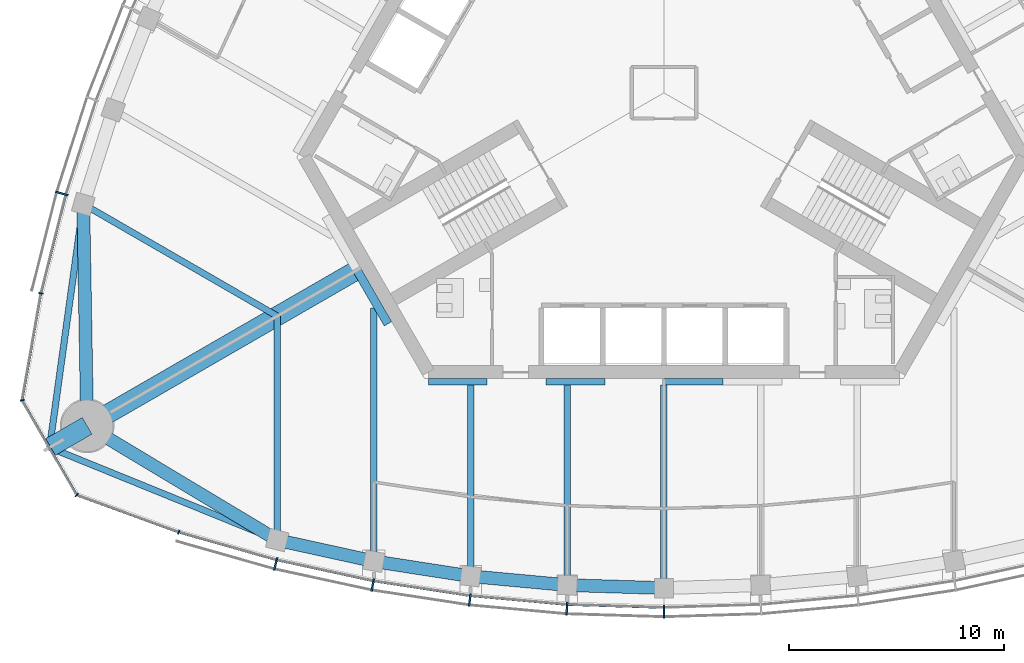
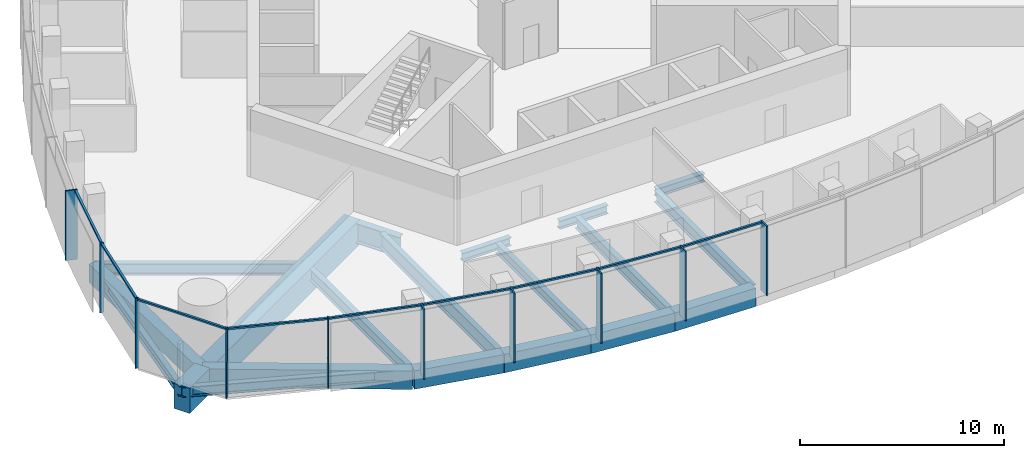
# One storey, part 2 of 16: 20 beams, 19 members, 3 elements without a shape of their own.
"""IFC4 building model written with IfcOpenShell, lengths in metres."""

from ifc_helpers import new_model, si_unit, direction, frame, origin, origin_2d, place, context, subcontext, project, spatial, rectangle, i_section, extrude, material, material_profile, profile_set, type_object, element, aggregate, save


model = new_model("IFC4")

# Units and contexts
model_context = context("Model", 3, precision=1e-05, world=origin(), true_north=direction((0.0, 1.0)))
body_context = subcontext(model_context, "Body", "Model", "MODEL_VIEW")
ifc_project = project(units=[si_unit("LENGTHUNIT", "METRE"), si_unit("AREAUNIT", "SQUARE_METRE"), si_unit("VOLUMEUNIT", "CUBIC_METRE"), si_unit("PLANEANGLEUNIT", "RADIAN"), si_unit("MASSUNIT", "GRAM", prefix="KILO")], contexts=[model_context])

# Site, building, storey
site_placement = place(None, origin())
site = spatial("IfcSite", under=ifc_project, at=site_placement, CompositionType="ELEMENT")
building_placement = place(site_placement, origin())
building = spatial("IfcBuilding", under=site, at=building_placement, Name="Trefoil Bronze Tower", CompositionType="ELEMENT")
storey_placement = place(building_placement, frame((0.0, 0.0, 305.699951171875)))
storey = spatial("IfcBuildingStorey", under=building, at=storey_placement, Name="L70", CompositionType="ELEMENT", Elevation=305.699951171875)

# Curtain wall, members
ifc_material_1 = material(Name="Tinted solar-control glass", Category="glass")
curtain_wall_type_1 = type_object("IfcCurtainWallType", Name="Bronze office curtain wall", PredefinedType="USERDEFINED", material=ifc_material_1)
curtain_wall_1_placement = place(storey_placement, origin())
curtain_wall_1 = element("IfcCurtainWall", 1, at=curtain_wall_1_placement, inside=storey, type_object=curtain_wall_type_1, Name="CW-A L70 F1", ObjectType="CURTAIN WALL", PredefinedType="USERDEFINED")
ifc_material_2 = material(Name="Bronze-finish aluminium", Category="aluminium")
ifc_material_profile_1 = material_profile(ifc_material_2, rectangle(XDim=0.60009765625, YDim=0.080078125, at=origin_2d()), Name="CW-A mullion")
ifc_profile_set_1 = profile_set([ifc_material_profile_1], Name="Bronze-finish aluminium")
member_type_1 = type_object("IfcMemberType", Name="Bronze office curtain wall mullion", PredefinedType="MULLION", material=ifc_profile_set_1)
member_1_placement = place(storey_placement, frame((-18.07275390625, -21.931884765625, 0.0), z_axis=(0.0, 0.0, 1.0), x_axis=(0.242394494031, 0.97017777199, 0.0)))
member_1 = element("IfcMember", 2, at=member_1_placement, type_object=member_type_1, Name="CW-A L70 F1 mullion 2", PredefinedType="MULLION", context=body_context, shape_type="SweptSolid", body=[
    extrude(rectangle(XDim=0.60009765625, YDim=0.080078125, at=origin_2d()), origin(), (0.0, 0.0, 1.0), 4.179931640625),
])
member_2_placement = place(storey_placement, frame((-13.554443359375, -22.911376953125, 0.0), z_axis=(0.0, 0.0, 1.0), x_axis=(0.181667218242, 0.983360067227, 0.0)))
member_2 = element("IfcMember", 3, at=member_2_placement, type_object=member_type_1, Name="CW-A L70 F1 mullion 3", PredefinedType="MULLION", context=body_context, shape_type="SweptSolid", body=[
    extrude(rectangle(XDim=0.60009765625, YDim=0.080078125, at=origin_2d()), origin(), (0.0, 0.0, 1.0), 4.179931640625),
])
member_3_placement = place(storey_placement, frame((-9.036376953125, -23.602783203125, 0.0), z_axis=(0.0, 0.0, 1.0), x_axis=(0.121109330868, 0.992639174109, 0.0)))
member_3 = element("IfcMember", 4, at=member_3_placement, type_object=member_type_1, Name="CW-A L70 F1 mullion 4", PredefinedType="MULLION", context=body_context, shape_type="SweptSolid", body=[
    extrude(rectangle(XDim=0.60009765625, YDim=0.080078125, at=origin_2d()), origin(), (0.0, 0.0, 1.0), 4.179931640625),
])
member_4_placement = place(storey_placement, frame((-4.51806640625, -24.014892578125, 0.0), z_axis=(0.0, 0.0, 1.0), x_axis=(0.060554040199, 0.998164920349, 0.0)))
member_4 = element("IfcMember", 5, at=member_4_placement, type_object=member_type_1, Name="CW-A L70 F1 mullion 5", PredefinedType="MULLION", context=body_context, shape_type="SweptSolid", body=[
    extrude(rectangle(XDim=0.60009765625, YDim=0.080078125, at=origin_2d()), origin(), (0.0, 0.0, 1.0), 4.179931640625),
])
member_5_placement = place(storey_placement, frame((0.0, -24.151611328125, 0.0), z_axis=(0.0, 0.0, 1.0), x_axis=(0.0, 1.0, 0.0)))
member_5 = element("IfcMember", 6, at=member_5_placement, type_object=member_type_1, Name="CW-A L70 F1 mullion 6", PredefinedType="MULLION", context=body_context, shape_type="SweptSolid", body=[
    extrude(rectangle(XDim=0.60009765625, YDim=0.080078125, at=origin_2d()), origin(), (0.0, 0.0, 1.0), 4.179931640625),
])

# Curtain wall, member
curtain_wall_2_placement = place(storey_placement, origin())
curtain_wall_2 = element("IfcCurtainWall", 7, at=curtain_wall_2_placement, inside=storey, type_object=curtain_wall_type_1, Name="CW-A L70 F3", ObjectType="CURTAIN WALL", PredefinedType="USERDEFINED")
member_6_placement = place(storey_placement, frame((-28.02978515625, -4.685546875, 0.0), z_axis=(0.0, 0.0, 1.0), x_axis=(0.961395843746, -0.275169096426, 0.0)))
member_6 = element("IfcMember", 8, at=member_6_placement, type_object=member_type_1, Name="CW-A L70 F3 mullion 10", PredefinedType="MULLION", context=body_context, shape_type="SweptSolid", body=[
    extrude(rectangle(XDim=0.60009765625, YDim=0.080078125, at=origin_2d()), origin(), (0.0, 0.0, 1.0), 4.179931640625),
])

# Member
ifc_material_3 = material(Name="Bronze-finish aluminium", Category="aluminium")
ifc_material_profile_2 = material_profile(ifc_material_3, rectangle(XDim=0.1201171875, YDim=0.10009765625, at=origin_2d()), Name="CW-A transom")
ifc_profile_set_2 = profile_set([ifc_material_profile_2], Name="Bronze-finish aluminium")
member_type_2 = type_object("IfcMemberType", Name="Bronze office curtain wall transom", PredefinedType="USERDEFINED", material=ifc_profile_set_2)
member_7_placement = place(storey_placement, frame((-22.537109375, -20.458740234375, 4.130126953125), z_axis=(0.962102611578, -0.272687668944, 0.0), x_axis=(0.272687668944, 0.962102611578, 0.0)))
member_7 = element("IfcMember", 9, at=member_7_placement, type_object=member_type_2, Name="CW-A L70 F1 transom 1", ObjectType="TRANSOM", PredefinedType="USERDEFINED", context=body_context, shape_type="SweptSolid", body=[
    extrude(rectangle(XDim=0.1201171875, YDim=0.10009765625, at=origin_2d()), origin(), (0.0, 0.0, 1.0), 4.6474609375),
])

member_8_placement = place(storey_placement, frame((-17.982177734375, -21.7470703125, 4.130126953125), z_axis=(0.977303780028, -0.211842681117, 0.0), x_axis=(0.211842681117, 0.977303780028, 0.0)))
member_8 = element("IfcMember", 10, at=member_8_placement, type_object=member_type_2, Name="CW-A L70 F1 transom 2", ObjectType="TRANSOM", PredefinedType="USERDEFINED", context=body_context, shape_type="SweptSolid", body=[
    extrude(rectangle(XDim=0.1201171875, YDim=0.10009765625, at=origin_2d()), origin(), (0.0, 0.0, 1.0), 4.524658203125),
])

member_9_placement = place(storey_placement, frame((-13.4755859375, -22.72119140625, 4.130126953125), z_axis=(0.988485016014, -0.151318779787, 0.0), x_axis=(0.151318779787, 0.988485016014, 0.0)))
member_9 = element("IfcMember", 11, at=member_9_placement, type_object=member_type_2, Name="CW-A L70 F1 transom 3", ObjectType="TRANSOM", PredefinedType="USERDEFINED", context=body_context, shape_type="SweptSolid", body=[
    extrude(rectangle(XDim=0.1201171875, YDim=0.10009765625, at=origin_2d()), origin(), (0.0, 0.0, 1.0), 4.472412109375),
])

member_10_placement = place(storey_placement, frame((-8.96923828125, -23.408203125, 4.130126953125), z_axis=(0.995868373079, -0.090808499059, 0.0), x_axis=(0.090808499059, 0.995868373079, 0.0)))
member_10 = element("IfcMember", 12, at=member_10_placement, type_object=member_type_2, Name="CW-A L70 F1 transom 4", ObjectType="TRANSOM", PredefinedType="USERDEFINED", context=body_context, shape_type="SweptSolid", body=[
    extrude(rectangle(XDim=0.1201171875, YDim=0.10009765625, at=origin_2d()), origin(), (0.0, 0.0, 1.0), 4.438720703125),
])

member_11_placement = place(storey_placement, frame((-4.463134765625, -23.81640625, 4.130126953125), z_axis=(0.99954057115, -0.030309183848, 0.0), x_axis=(0.030309183848, 0.99954057115, 0.0)))
member_11 = element("IfcMember", 13, at=member_11_placement, type_object=member_type_2, Name="CW-A L70 F1 transom 5", ObjectType="TRANSOM", PredefinedType="USERDEFINED", context=body_context, shape_type="SweptSolid", body=[
    extrude(rectangle(XDim=0.1201171875, YDim=0.10009765625, at=origin_2d()), origin(), (0.0, 0.0, 1.0), 4.422119140625),
])

aggregate(curtain_wall_1, [member_1, member_2, member_3, member_4, member_5, member_7, member_8, member_9, member_10, member_11])

member_12_placement = place(storey_placement, frame((-27.84814453125, -4.782470703125, 4.130126953125), z_axis=(-0.244908148095, -0.969546285123, 0.0), x_axis=(0.969546285123, -0.244908148095, 0.0)))
member_12 = element("IfcMember", 14, at=member_12_placement, type_object=member_type_2, Name="CW-A L70 F3 transom 10", ObjectType="TRANSOM", PredefinedType="USERDEFINED", context=body_context, shape_type="SweptSolid", body=[
    extrude(rectangle(XDim=0.1201171875, YDim=0.10009765625, at=origin_2d()), origin(), (0.0, 0.0, 1.0), 4.6474609375),
])

aggregate(curtain_wall_2, [member_6, member_12])

# Curtain wall, members
ifc_material_4 = material(Name="Tinted solar-control glass", Category="glass")
curtain_wall_type_2 = type_object("IfcCurtainWallType", Name="Bronze rounded corner curtain wall", PredefinedType="USERDEFINED", material=ifc_material_4)
curtain_wall_3_placement = place(storey_placement, origin())
curtain_wall_3 = element("IfcCurtainWall", 15, at=curtain_wall_3_placement, inside=storey, type_object=curtain_wall_type_2, Name="CW-B L70 K3", ObjectType="CURTAIN WALL", PredefinedType="USERDEFINED")
ifc_material_5 = material(Name="Bronze-finish aluminium", Category="aluminium")
ifc_material_profile_3 = material_profile(ifc_material_5, rectangle(XDim=0.199951171875, YDim=0.06005859375, at=origin_2d()), Name="CW-B mullion")
ifc_profile_set_3 = profile_set([ifc_material_profile_3], Name="Bronze-finish aluminium")
member_type_3 = type_object("IfcMemberType", Name="Bronze rounded corner curtain wall mullion", PredefinedType="MULLION", material=ifc_profile_set_3)
member_13_placement = place(storey_placement, frame((-28.99755859375, -9.334228515625, 0.0), z_axis=(0.0, 0.0, 1.0), x_axis=(0.984807753012, -0.173648177667, 0.0)))
member_13 = element("IfcMember", 16, at=member_13_placement, type_object=member_type_3, Name="CW-B L70 K3 mullion 1", PredefinedType="MULLION", context=body_context, shape_type="SweptSolid", body=[
    extrude(rectangle(XDim=0.199951171875, YDim=0.06005859375, at=origin_2d()), origin(), (0.0, 0.0, 1.0), 4.179931640625),
])
member_14_placement = place(storey_placement, frame((-29.86865234375, -14.30908203125, 0.0), z_axis=(0.0, 0.0, 1.0), x_axis=(0.984807753012, 0.173648177667, 0.0)))
member_14 = element("IfcMember", 17, at=member_14_placement, type_object=member_type_3, Name="CW-B L70 K3 mullion 2", PredefinedType="MULLION", context=body_context, shape_type="SweptSolid", body=[
    extrude(rectangle(XDim=0.199951171875, YDim=0.06005859375, at=origin_2d()), origin(), (0.0, 0.0, 1.0), 4.179931640625),
])
member_15_placement = place(storey_placement, frame((-27.326416015625, -18.712646484375, 0.0), z_axis=(0.0, 0.0, 1.0), x_axis=(0.642787609687, 0.766044443119, 0.0)))
member_15 = element("IfcMember", 18, at=member_15_placement, type_object=member_type_3, Name="CW-B L70 K3 mullion 3", PredefinedType="MULLION", context=body_context, shape_type="SweptSolid", body=[
    extrude(rectangle(XDim=0.199951171875, YDim=0.06005859375, at=origin_2d()), origin(), (0.0, 0.0, 1.0), 4.179931640625),
])
member_16_placement = place(storey_placement, frame((-22.58251953125, -20.445556640625, 0.0), z_axis=(0.0, 0.0, 1.0), x_axis=(0.342020143326, 0.939692620786, 0.0)))
member_16 = element("IfcMember", 19, at=member_16_placement, type_object=member_type_3, Name="CW-B L70 K3 mullion 4", PredefinedType="MULLION", context=body_context, shape_type="SweptSolid", body=[
    extrude(rectangle(XDim=0.199951171875, YDim=0.06005859375, at=origin_2d()), origin(), (0.0, 0.0, 1.0), 4.179931640625),
])
ifc_material_6 = material(Name="Bronze-finish aluminium", Category="aluminium")
ifc_material_profile_4 = material_profile(ifc_material_6, rectangle(XDim=0.1201171875, YDim=0.10009765625, at=origin_2d()), Name="CW-B transom")
ifc_profile_set_4 = profile_set([ifc_material_profile_4], Name="Bronze-finish aluminium")
member_type_4 = type_object("IfcMemberType", Name="Bronze rounded corner curtain wall transom", PredefinedType="USERDEFINED", material=ifc_profile_set_4)
member_17_placement = place(storey_placement, frame((-29.0029296875, -9.36376953125, 4.130126953125), z_axis=(-0.173633591509, -0.984810324834, 0.0), x_axis=(0.984810324834, -0.173633591509, 0.0)))
member_17 = element("IfcMember", 20, at=member_17_placement, type_object=member_type_4, Name="CW-B L70 K3 transom 1", ObjectType="TRANSOM", PredefinedType="USERDEFINED", context=body_context, shape_type="SweptSolid", body=[
    extrude(rectangle(XDim=0.1201171875, YDim=0.10009765625, at=origin_2d()), origin(), (0.0, 0.0, 1.0), 4.956298828125),
])
member_18_placement = place(storey_placement, frame((-29.841796875, -14.36767578125, 4.130126953125), z_axis=(0.499985403706, -0.866033830794, 0.0), x_axis=(0.866033830794, 0.499985403706, 0.0)))
member_18 = element("IfcMember", 21, at=member_18_placement, type_object=member_type_4, Name="CW-B L70 K3 transom 2", ObjectType="TRANSOM", PredefinedType="USERDEFINED", context=body_context, shape_type="SweptSolid", body=[
    extrude(rectangle(XDim=0.1201171875, YDim=0.10009765625, at=origin_2d()), origin(), (0.0, 0.0, 1.0), 4.956298828125),
])
member_19_placement = place(storey_placement, frame((-27.26806640625, -18.740234375, 4.130126953125), z_axis=(0.93969990549, -0.342000128103, 0.0), x_axis=(0.342000128103, 0.93969990549, 0.0)))
member_19 = element("IfcMember", 22, at=member_19_placement, type_object=member_type_4, Name="CW-B L70 K3 transom 3", ObjectType="TRANSOM", PredefinedType="USERDEFINED", context=body_context, shape_type="SweptSolid", body=[
    extrude(rectangle(XDim=0.1201171875, YDim=0.10009765625, at=origin_2d()), origin(), (0.0, 0.0, 1.0), 4.956298828125),
])
aggregate(curtain_wall_3, [member_13, member_14, member_15, member_16, member_17, member_18, member_19])

# Beams
ifc_material_7 = material(Name="Steel C355", Category="steel")
ifc_material_profile_5 = material_profile(ifc_material_7, i_section(OverallWidth=0.300048828125, OverallDepth=0.5, WebThickness=0.014404296875, FlangeThickness=0.028076171875, FilletRadius=0.027099609375, at=origin_2d()), Name="HEB 500")
ifc_profile_set_5 = profile_set([ifc_material_profile_5], Name="Steel C355")
beam_type_1 = type_object("IfcBeamType", Name="Core seat beam HEB 500", PredefinedType="BEAM", material=ifc_profile_set_5)
for number, where, z_axis, x_axis, name in (
    (23, (-10.9697265625, -13.449951171875, -0.449951171875), (1.0, 0.0, 0.0), (0.0, 1.0, 0.0), "Core seat beam F1/-2 L70"),
    (24, (-5.48486328125, -13.449951171875, -0.449951171875), (1.0, 0.0, 0.0), (0.0, 1.0, 0.0), "Core seat beam F1/-1 L70"),
    (25, (0.0, -13.449951171875, -0.449951171875), (1.0, 0.0, 0.0), (0.0, 1.0, 0.0), "Core seat beam F1/+0 L70"),
):
    element("IfcBeam", number, at=place(storey_placement, frame(where, z_axis=z_axis, x_axis=x_axis)), inside=storey, type_object=beam_type_1, Name=name, PredefinedType="BEAM", context=body_context, shape_type="SweptSolid", body=[
        extrude(i_section(OverallWidth=0.300048828125, OverallDepth=0.5, WebThickness=0.014404296875, FlangeThickness=0.028076171875, FilletRadius=0.027099609375, at=origin_2d()), origin(), (0.0, 0.0, 1.0), 2.742431640625),
    ])
ifc_material_8 = material(Name="Steel C355", Category="steel")
ifc_material_profile_6 = material_profile(ifc_material_8, i_section(OverallWidth=0.39990234375, OverallDepth=1.199951171875, WebThickness=0.02001953125, FlangeThickness=0.0400390625, FilletRadius=0.010009765625, at=origin_2d()), Name="WPG 1200")
ifc_profile_set_6 = profile_set([ifc_material_profile_6], Name="Steel C355")
beam_type_2 = type_object("IfcBeamType", Name="Core seat beam WPG 1200", PredefinedType="BEAM", material=ifc_profile_set_6)
beam_1_placement = place(storey_placement, frame((-14.289306640625, -8.25, -0.800048828125), z_axis=(0.499995765644, -0.866027848477, 0.0), x_axis=(0.866027848477, 0.499995765644, 0.0)))
element("IfcBeam", 26, at=beam_1_placement, inside=storey, type_object=beam_type_2, Name="Core seat beam F1/-3 L70", PredefinedType="BEAM", context=body_context, shape_type="SweptSolid", body=[
    extrude(i_section(OverallWidth=0.39990234375, OverallDepth=1.199951171875, WebThickness=0.02001953125, FlangeThickness=0.0400390625, FilletRadius=0.010009765625, at=origin_2d()), origin(), (0.0, 0.0, 1.0), 2.88671875),
])
ifc_material_9 = material(Name="Concrete B80", Category="concrete")
ifc_material_profile_7 = material_profile(ifc_material_9, rectangle(XDim=0.89990234375, YDim=1.5, at=origin_2d()), Name="RC 900x1500")
ifc_profile_set_7 = profile_set([ifc_material_profile_7], Name="Concrete B80")
beam_type_3 = type_object("IfcBeamType", Name="Corner cantilever RC 900x1500", PredefinedType="BEAM", material=ifc_profile_set_7)
beam_2_placement = place(storey_placement, frame((-26.8466796875, -15.5, -0.949951171875), z_axis=(-0.866010470582, -0.500025864173, 0.0), x_axis=(0.500025864173, -0.866010470582, 0.0)))
element("IfcBeam", 27, at=beam_2_placement, inside=storey, type_object=beam_type_3, Name="Corner cantilever K3 L70", PredefinedType="BEAM", context=body_context, shape_type="SweptSolid", body=[
    extrude(rectangle(XDim=0.89990234375, YDim=1.5, at=origin_2d()), origin(), (0.0, 0.0, 1.0), 2.02001953125),
])
ifc_material_10 = material(Name="Steel C355", Category="steel")
ifc_material_profile_8 = material_profile(ifc_material_10, i_section(OverallWidth=0.300048828125, OverallDepth=0.60009765625, WebThickness=0.015380859375, FlangeThickness=0.030029296875, FilletRadius=0.027099609375, at=origin_2d()), Name="HEB 600")
ifc_profile_set_8 = profile_set([ifc_material_profile_8], Name="Steel C355")
beam_type_4 = type_object("IfcBeamType", Name="Corner edge beam HEB 600", PredefinedType="BEAM", material=ifc_profile_set_8)
beam_3_placement = place(storey_placement, frame((-18.0, -20.816162109375, -0.5), z_axis=(-0.926419351914, 0.376493272714, 0.0), x_axis=(-0.376493272714, -0.926419351914, 0.0)))
element("IfcBeam", 28, at=beam_3_placement, inside=storey, type_object=beam_type_4, Name="Corner edge beam F1B L70", PredefinedType="BEAM", context=body_context, shape_type="SweptSolid", body=[
    extrude(i_section(OverallWidth=0.300048828125, OverallDepth=0.60009765625, WebThickness=0.015380859375, FlangeThickness=0.030029296875, FilletRadius=0.027099609375, at=origin_2d()), origin(), (0.0, 0.0, 1.0), 11.4375),
])
beam_4_placement = place(storey_placement, frame((-27.02734375, -5.180419921875, -0.5), z_axis=(-0.137143714313, -0.990551160529, 0.0), x_axis=(0.990551160529, -0.137143714313, 0.0)))
element("IfcBeam", 29, at=beam_4_placement, inside=storey, type_object=beam_type_4, Name="Corner edge beam F3A L70", PredefinedType="BEAM", context=body_context, shape_type="SweptSolid", body=[
    extrude(i_section(OverallWidth=0.300048828125, OverallDepth=0.60009765625, WebThickness=0.015380859375, FlangeThickness=0.030029296875, FilletRadius=0.027099609375, at=origin_2d()), origin(), (0.0, 0.0, 1.0), 11.437744140625),
])
ifc_material_11 = material(Name="Concrete B80", Category="concrete")
ifc_material_profile_9 = material_profile(ifc_material_11, rectangle(XDim=0.89990234375, YDim=1.5, at=origin_2d()), Name="RC 900x1500")
ifc_profile_set_9 = profile_set([ifc_material_profile_9], Name="Concrete B80")
beam_type_5 = type_object("IfcBeamType", Name="Corner girder RC 900x1500", PredefinedType="BEAM", material=ifc_profile_set_9)
beam_5_placement = place(storey_placement, frame((-14.1162109375, -8.14990234375, -0.949951171875), z_axis=(-0.86602074674, -0.500008066151, 0.0), x_axis=(0.500008066151, -0.86602074674, 0.0)))
element("IfcBeam", 30, at=beam_5_placement, inside=storey, type_object=beam_type_5, Name="Corner girder K3 L70", PredefinedType="BEAM", context=body_context, shape_type="SweptSolid", body=[
    extrude(rectangle(XDim=0.89990234375, YDim=1.5, at=origin_2d()), origin(), (0.0, 0.0, 1.0), 14.699951171875),
])
ifc_material_12 = material(Name="Concrete B80", Category="concrete")
ifc_material_profile_10 = material_profile(ifc_material_12, rectangle(XDim=0.60009765625, YDim=1.10009765625, at=origin_2d()), Name="RC 600x1100")
ifc_profile_set_10 = profile_set([ifc_material_profile_10], Name="Concrete B80")
beam_type_6 = type_object("IfcBeamType", Name="End spandrel beam RC 600x1100", PredefinedType="SPANDREL", material=ifc_profile_set_10)
for number, where, z_axis, x_axis, name in (
    (31, (-26.8466796875, -15.5, -0.75), (0.857144173035, -0.515076563855, 0.0), (0.515076563855, 0.857144173035, 0.0), "Spandrel F1.1 L70"),
    (32, (-27.02734375, -5.180419921875, -0.75), (0.017504237714, -0.999846789094, 0.0), (0.999846789094, 0.017504237714, 0.0), "Spandrel F3.10 L70"),
):
    element("IfcBeam", number, at=place(storey_placement, frame(where, z_axis=z_axis, x_axis=x_axis)), inside=storey, type_object=beam_type_6, Name=name, PredefinedType="SPANDREL", context=body_context, shape_type="SweptSolid", body=[
        extrude(rectangle(XDim=0.60009765625, YDim=1.10009765625, at=origin_2d()), origin(), (0.0, 0.0, 1.0), 10.321044921875),
    ])
ifc_material_13 = material(Name="Steel C355", Category="steel")
ifc_material_profile_11 = material_profile(ifc_material_13, i_section(OverallWidth=0.300048828125, OverallDepth=0.60009765625, WebThickness=0.015380859375, FlangeThickness=0.030029296875, FilletRadius=0.027099609375, at=origin_2d()), Name="HEB 600")
ifc_profile_set_11 = profile_set([ifc_material_profile_11], Name="Steel C355")
beam_type_7 = type_object("IfcBeamType", Name="Floor beam HEB 600", PredefinedType="BEAM", material=ifc_profile_set_11)
beam_6_placement = place(storey_placement, frame((-9.0, -22.499267578125, -0.5), z_axis=(0.0, 1.0, 0.0), x_axis=(-1.0, 0.0, 0.0)))
element("IfcBeam", 33, at=beam_6_placement, inside=storey, type_object=beam_type_7, Name="Floor beam F1/-2 L70", PredefinedType="BEAM", context=body_context, shape_type="SweptSolid", body=[
    extrude(i_section(OverallWidth=0.300048828125, OverallDepth=0.60009765625, WebThickness=0.015380859375, FlangeThickness=0.030029296875, FilletRadius=0.027099609375, at=origin_2d()), origin(), (0.0, 0.0, 1.0), 8.899169921875),
])
ifc_material_14 = material(Name="Steel C355", Category="steel")
ifc_material_profile_12 = material_profile(ifc_material_14, i_section(OverallWidth=0.300048828125, OverallDepth=0.699951171875, WebThickness=0.01708984375, FlangeThickness=0.031982421875, FilletRadius=0.027099609375, at=origin_2d()), Name="HEB 700")
ifc_profile_set_12 = profile_set([ifc_material_profile_12], Name="Steel C355")
beam_type_8 = type_object("IfcBeamType", Name="Floor beam HEB 700", PredefinedType="BEAM", material=ifc_profile_set_12)
beam_7_placement = place(storey_placement, frame((-18.0, -20.816162109375, -0.550048828125), z_axis=(0.0, 1.0, 0.0), x_axis=(-1.0, 0.0, 0.0)))
element("IfcBeam", 34, at=beam_7_placement, inside=storey, type_object=beam_type_8, Name="Floor beam F1/-4 L70", PredefinedType="BEAM", context=body_context, shape_type="SweptSolid", body=[
    extrude(i_section(OverallWidth=0.300048828125, OverallDepth=0.699951171875, WebThickness=0.01708984375, FlangeThickness=0.031982421875, FilletRadius=0.027099609375, at=origin_2d()), origin(), (0.0, 0.0, 1.0), 10.423828125),
])
beam_8_placement = place(storey_placement, frame((-4.5, -22.913818359375, -0.550048828125), z_axis=(0.0, 1.0, 0.0), x_axis=(-1.0, 0.0, 0.0)))
element("IfcBeam", 35, at=beam_8_placement, inside=storey, type_object=beam_type_8, Name="Floor beam F1/-1 L70", PredefinedType="BEAM", context=body_context, shape_type="SweptSolid", body=[
    extrude(i_section(OverallWidth=0.300048828125, OverallDepth=0.699951171875, WebThickness=0.01708984375, FlangeThickness=0.031982421875, FilletRadius=0.027099609375, at=origin_2d()), origin(), (0.0, 0.0, 1.0), 9.313720703125),
])
beam_9_placement = place(storey_placement, frame((0.0, -23.051513671875, -0.550048828125), z_axis=(0.0, 1.0, 0.0), x_axis=(-1.0, 0.0, 0.0)))
element("IfcBeam", 36, at=beam_9_placement, inside=storey, type_object=beam_type_8, Name="Floor beam F1/+0 L70", PredefinedType="BEAM", context=body_context, shape_type="SweptSolid", body=[
    extrude(i_section(OverallWidth=0.300048828125, OverallDepth=0.699951171875, WebThickness=0.01708984375, FlangeThickness=0.031982421875, FilletRadius=0.027099609375, at=origin_2d()), origin(), (0.0, 0.0, 1.0), 9.451416015625),
])
beam_10_placement = place(storey_placement, frame((-27.02734375, -5.180419921875, -0.550048828125), z_axis=(0.866026453994, -0.499998180979, 0.0), x_axis=(0.499998180979, 0.866026453994, 0.0)))
element("IfcBeam", 37, at=beam_10_placement, inside=storey, type_object=beam_type_8, Name="Floor beam F3/+4 L70", PredefinedType="BEAM", context=body_context, shape_type="SweptSolid", body=[
    extrude(i_section(OverallWidth=0.300048828125, OverallDepth=0.699951171875, WebThickness=0.01708984375, FlangeThickness=0.031982421875, FilletRadius=0.027099609375, at=origin_2d()), origin(), (0.0, 0.0, 1.0), 10.423828125),
])
ifc_material_15 = material(Name="Steel C355", Category="steel")
ifc_material_profile_13 = material_profile(ifc_material_15, i_section(OverallWidth=0.300048828125, OverallDepth=0.89990234375, WebThickness=0.0185546875, FlangeThickness=0.034912109375, FilletRadius=0.030029296875, at=origin_2d()), Name="HEB 900")
ifc_profile_set_13 = profile_set([ifc_material_profile_13], Name="Steel C355")
beam_type_9 = type_object("IfcBeamType", Name="Floor beam HEB 900", PredefinedType="BEAM", material=ifc_profile_set_13)
beam_11_placement = place(storey_placement, frame((-13.5, -21.802734375, -0.64990234375), z_axis=(0.0, 1.0, 0.0), x_axis=(-1.0, 0.0, 0.0)))
element("IfcBeam", 38, at=beam_11_placement, inside=storey, type_object=beam_type_9, Name="Floor beam F1/-3 L70", PredefinedType="BEAM", context=body_context, shape_type="SweptSolid", body=[
    extrude(i_section(OverallWidth=0.300048828125, OverallDepth=0.89990234375, WebThickness=0.0185546875, FlangeThickness=0.034912109375, FilletRadius=0.030029296875, at=origin_2d()), origin(), (0.0, 0.0, 1.0), 11.785400390625),
])
ifc_material_16 = material(Name="Concrete B80", Category="concrete")
ifc_material_profile_14 = material_profile(ifc_material_16, rectangle(XDim=0.60009765625, YDim=1.10009765625, at=origin_2d()), Name="RC 600x1100")
ifc_profile_set_14 = profile_set([ifc_material_profile_14], Name="Concrete B80")
beam_type_10 = type_object("IfcBeamType", Name="Spandrel beam RC 600x1100", PredefinedType="SPANDREL", material=ifc_profile_set_14)
beam_12_placement = place(storey_placement, frame((-18.0, -20.816162109375, -0.75), z_axis=(0.976800342355, -0.214152028182, 0.0), x_axis=(0.214152028182, 0.976800342355, 0.0)))
element("IfcBeam", 39, at=beam_12_placement, inside=storey, type_object=beam_type_10, Name="Spandrel F1.2 L70", PredefinedType="SPANDREL", context=body_context, shape_type="SweptSolid", body=[
    extrude(rectangle(XDim=0.60009765625, YDim=1.10009765625, at=origin_2d()), origin(), (0.0, 0.0, 1.0), 4.60693359375),
])
beam_13_placement = place(storey_placement, frame((-13.5, -21.802734375, -0.75), z_axis=(0.988231820946, -0.152963616816, 0.0), x_axis=(0.152963616816, 0.988231820946, 0.0)))
element("IfcBeam", 40, at=beam_13_placement, inside=storey, type_object=beam_type_10, Name="Spandrel F1.3 L70", PredefinedType="SPANDREL", context=body_context, shape_type="SweptSolid", body=[
    extrude(rectangle(XDim=0.60009765625, YDim=1.10009765625, at=origin_2d()), origin(), (0.0, 0.0, 1.0), 4.553466796875),
])
beam_14_placement = place(storey_placement, frame((-9.0, -22.499267578125, -0.75), z_axis=(0.995783550481, -0.091733966402, 0.0), x_axis=(0.091733966402, 0.995783550481, 0.0)))
element("IfcBeam", 41, at=beam_14_placement, inside=storey, type_object=beam_type_10, Name="Spandrel F1.4 L70", PredefinedType="SPANDREL", context=body_context, shape_type="SweptSolid", body=[
    extrude(rectangle(XDim=0.60009765625, YDim=1.10009765625, at=origin_2d()), origin(), (0.0, 0.0, 1.0), 4.51904296875),
])
beam_15_placement = place(storey_placement, frame((-4.5, -22.913818359375, -0.75), z_axis=(0.999532180362, -0.03058464354, 0.0), x_axis=(0.03058464354, 0.999532180362, 0.0)))
element("IfcBeam", 42, at=beam_15_placement, inside=storey, type_object=beam_type_10, Name="Spandrel F1.5 L70", PredefinedType="SPANDREL", context=body_context, shape_type="SweptSolid", body=[
    extrude(rectangle(XDim=0.60009765625, YDim=1.10009765625, at=origin_2d()), origin(), (0.0, 0.0, 1.0), 4.502197265625),
])

save(model, "model.ifc")
